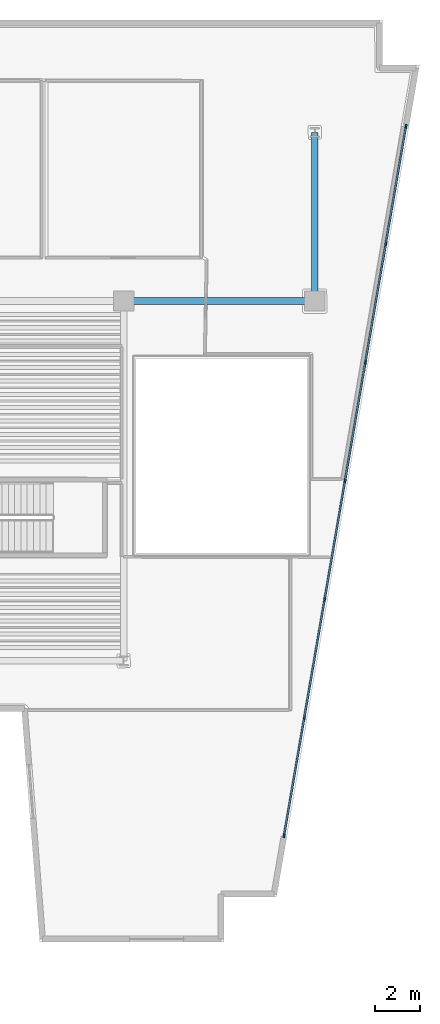
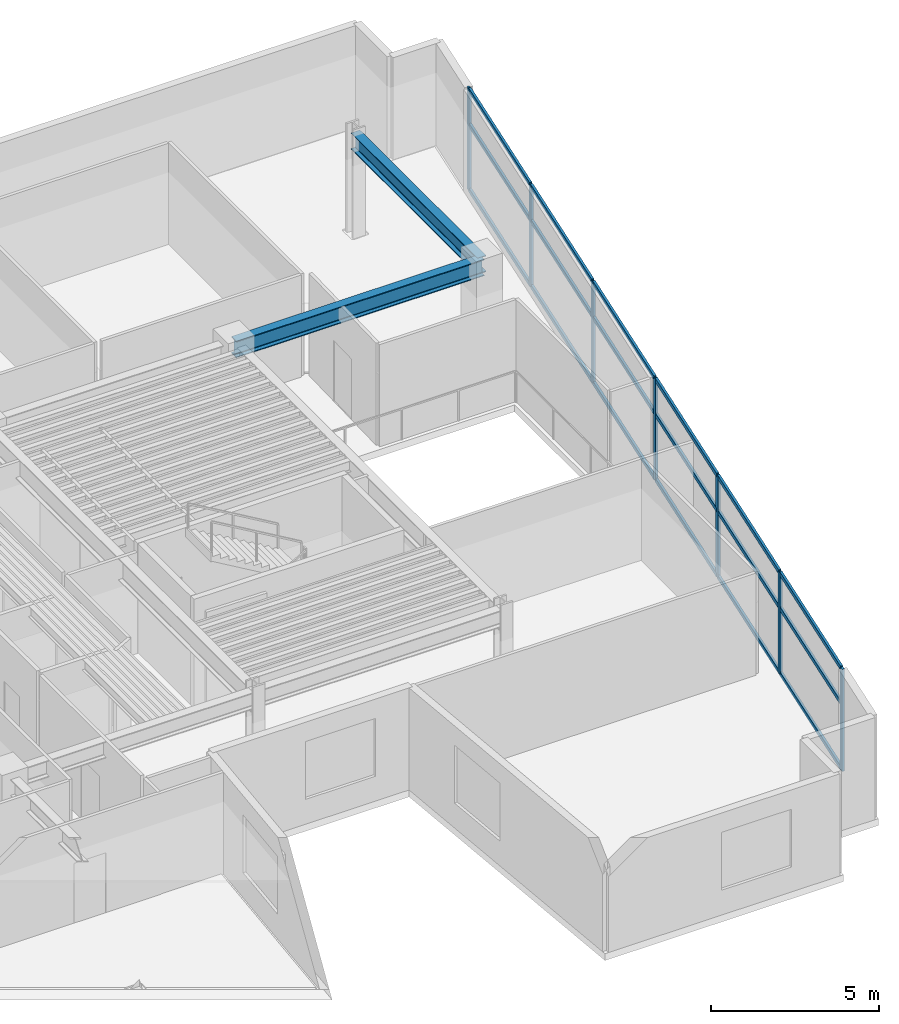
# One storey, part 2 of 9: 25 members, 2 beams, 1 element without a shape of its own.
"""IFC4 building model written with IfcOpenShell, lengths in metres."""

from ifc_helpers import new_model, si_unit, direction, frame, origin, origin_2d, place, context, subcontext, project, spatial, rectangle, i_section, extrude, material, layer, layer_set, material_profile, profile_set, type_object, element, aggregate, save


model = new_model("IFC4")

# Units and contexts
model_context = context("Model", 3, precision=1e-05, world=origin(), true_north=direction((0.0, 1.0)))
body_context = subcontext(model_context, "Body", "Model", "MODEL_VIEW")
ifc_project = project(units=[si_unit("LENGTHUNIT", "METRE"), si_unit("AREAUNIT", "SQUARE_METRE"), si_unit("VOLUMEUNIT", "CUBIC_METRE"), si_unit("PLANEANGLEUNIT", "RADIAN"), si_unit("MASSUNIT", "GRAM", prefix="KILO")], contexts=[model_context])

# Site, building, storey
site_placement = place(None, origin())
site = spatial("IfcSite", under=ifc_project, at=site_placement, CompositionType="ELEMENT")
building_placement = place(site_placement, origin())
building = spatial("IfcBuilding", under=site, at=building_placement, Name="Caeloran Harvest Quay", CompositionType="ELEMENT")
storey_placement = place(building_placement, frame((0.0, 0.0, 203.5)))
storey = spatial("IfcBuildingStorey", under=building, at=storey_placement, Name="L48", CompositionType="ELEMENT", Elevation=203.5)

# Beams
ifc_material_1 = material(Name="Steel S355J2", Category="steel")
ifc_material_profile_1 = material_profile(ifc_material_1, i_section(OverallWidth=0.300048828125, OverallDepth=0.60009765625, WebThickness=0.015380859375, FlangeThickness=0.030029296875, FilletRadius=0.027099609375, at=origin_2d()), Name="HE 600 B")
ifc_profile_set_1 = profile_set([ifc_material_profile_1], Name="Steel S355J2")
beam_type = type_object("IfcBeamType", Name="BM-PG-3-HE_600_B", PredefinedType="BEAM", material=ifc_profile_set_1)
beam_1_placement = place(storey_placement, frame((34.0, 31.0, 3.39990234375), z_axis=(1.0, 0.0, 0.0), x_axis=(0.0, 1.0, 0.0)))
element("IfcBeam", 1, at=beam_1_placement, inside=storey, type_object=beam_type, Name="L48 Primary East-West Girder Y=31.0", PredefinedType="BEAM", context=body_context, shape_type="SweptSolid", body=[
    extrude(i_section(OverallWidth=0.300048828125, OverallDepth=0.60009765625, WebThickness=0.015380859375, FlangeThickness=0.030029296875, FilletRadius=0.027099609375, at=origin_2d()), origin(), (0.0, 0.0, 1.0), 8.5),
])
beam_2_placement = place(storey_placement, frame((42.5, 31.0, 3.39990234375), z_axis=(0.0, 1.0, 0.0), x_axis=(-1.0, 0.0, 0.0)))
element("IfcBeam", 2, at=beam_2_placement, inside=storey, type_object=beam_type, Name="L48 Primary North-South Girder X=42.5", PredefinedType="BEAM", context=body_context, shape_type="SweptSolid", body=[
    extrude(i_section(OverallWidth=0.300048828125, OverallDepth=0.60009765625, WebThickness=0.015380859375, FlangeThickness=0.030029296875, FilletRadius=0.027099609375, at=origin_2d()), origin(), (0.0, 0.0, 1.0), 7.5),
])

# Curtain wall, members
ifc_material_2 = material(Name="Aluminium 6063-T6 and Low-E Glazing", Category="aluminium")
ifc_layer = layer(ifc_material_2, 0.2099609375, Name="Aluminium 6063-T6 and Low-E Glazing")
ifc_layer_set = layer_set([ifc_layer], Name="Aluminium 6063-T6 and Low-E Glazing")
curtain_wall_type = type_object("IfcCurtainWallType", Name="CW-SYS-CW-4", PredefinedType="USERDEFINED", material=ifc_layer_set)
curtain_wall_placement = place(storey_placement, origin())
curtain_wall = element("IfcCurtainWall", 3, at=curtain_wall_placement, inside=storey, type_object=curtain_wall_type, Name="L48 Unitised Curtain Wall CW-4 Run 9", ObjectType="CURTAIN_WALL", PredefinedType="USERDEFINED")
ifc_material_3 = material(Name="Aluminium 6063-T6", Category="aluminium")
ifc_material_profile_2 = material_profile(ifc_material_3, rectangle(XDim=0.080078125, YDim=0.179931640625, at=origin_2d()), Name="CW-MULLION-180")
ifc_profile_set_2 = profile_set([ifc_material_profile_2], Name="Aluminium 6063-T6")
member_type_1 = type_object("IfcMemberType", Name="CW-MULLION-180", PredefinedType="MULLION", material=ifc_profile_set_2)
member_1_placement = place(storey_placement, frame((46.5546875, 38.76806640625, 0.0), z_axis=(0.0, 0.0, 1.0), x_axis=(0.985548695604, -0.169392351048, 0.0)))
member_1 = element("IfcMember", 4, at=member_1_placement, type_object=member_type_1, Name="CW-4 mullion 1", PredefinedType="MULLION", context=body_context, shape_type="SweptSolid", body=[
    extrude(rectangle(XDim=0.080078125, YDim=0.179931640625, at=origin_2d()), origin(), (0.0, 0.0, 1.0), 3.699951171875),
])
member_2_placement = place(storey_placement, frame((45.65576171875, 33.538330078125, 0.0), z_axis=(0.0, 0.0, 1.0), x_axis=(0.985548695604, -0.169392351048, 0.0)))
member_2 = element("IfcMember", 5, at=member_2_placement, type_object=member_type_1, Name="CW-4 mullion 2", PredefinedType="MULLION", context=body_context, shape_type="SweptSolid", body=[
    extrude(rectangle(XDim=0.080078125, YDim=0.179931640625, at=origin_2d()), origin(), (0.0, 0.0, 1.0), 3.699951171875),
])
member_3_placement = place(storey_placement, frame((44.750244140625, 28.269287109375, 0.0), z_axis=(0.0, 0.0, 1.0), x_axis=(0.985548695604, -0.169392351048, 0.0)))
member_3 = element("IfcMember", 6, at=member_3_placement, type_object=member_type_1, Name="CW-4 mullion 3", PredefinedType="MULLION", context=body_context, shape_type="SweptSolid", body=[
    extrude(rectangle(XDim=0.080078125, YDim=0.179931640625, at=origin_2d()), origin(), (0.0, 0.0, 1.0), 3.699951171875),
])
member_4_placement = place(storey_placement, frame((43.844482421875, 23.0, 0.0), z_axis=(0.0, 0.0, 1.0), x_axis=(0.985548695604, -0.169392351048, 0.0)))
member_4 = element("IfcMember", 7, at=member_4_placement, type_object=member_type_1, Name="CW-4 mullion 4", PredefinedType="MULLION", context=body_context, shape_type="SweptSolid", body=[
    extrude(rectangle(XDim=0.080078125, YDim=0.179931640625, at=origin_2d()), origin(), (0.0, 0.0, 1.0), 3.699951171875),
])
member_5_placement = place(storey_placement, frame((42.93896484375, 17.730712890625, 0.0), z_axis=(0.0, 0.0, 1.0), x_axis=(0.985548695604, -0.169392351048, 0.0)))
member_5 = element("IfcMember", 8, at=member_5_placement, type_object=member_type_1, Name="CW-4 mullion 5", PredefinedType="MULLION", context=body_context, shape_type="SweptSolid", body=[
    extrude(rectangle(XDim=0.080078125, YDim=0.179931640625, at=origin_2d()), origin(), (0.0, 0.0, 1.0), 3.699951171875),
])
member_6_placement = place(storey_placement, frame((42.033203125, 12.461669921875, 0.0), z_axis=(0.0, 0.0, 1.0), x_axis=(0.985548695604, -0.169392351048, 0.0)))
member_6 = element("IfcMember", 9, at=member_6_placement, type_object=member_type_1, Name="CW-4 mullion 6", PredefinedType="MULLION", context=body_context, shape_type="SweptSolid", body=[
    extrude(rectangle(XDim=0.080078125, YDim=0.179931640625, at=origin_2d()), origin(), (0.0, 0.0, 1.0), 3.699951171875),
])
member_7_placement = place(storey_placement, frame((41.13427734375, 7.23193359375, 0.0), z_axis=(0.0, 0.0, 1.0), x_axis=(0.985548695604, -0.169392351048, 0.0)))
member_7 = element("IfcMember", 10, at=member_7_placement, type_object=member_type_1, Name="CW-4 mullion 7", PredefinedType="MULLION", context=body_context, shape_type="SweptSolid", body=[
    extrude(rectangle(XDim=0.080078125, YDim=0.179931640625, at=origin_2d()), origin(), (0.0, 0.0, 1.0), 3.699951171875),
])
ifc_material_profile_3 = material_profile(ifc_material_3, rectangle(XDim=0.080078125, YDim=0.14990234375, at=origin_2d()), Name="CW-TRANSOM-150")
ifc_profile_set_3 = profile_set([ifc_material_profile_3], Name="Aluminium 6063-T6")
member_type_2 = type_object("IfcMemberType", Name="CW-TRANSOM-150", PredefinedType="USERDEFINED", material=ifc_profile_set_3)
member_8_placement = place(storey_placement, frame((46.5478515625, 38.728759765625, 0.0400390625), z_axis=(-0.169381290327, -0.985550596614, 0.0), x_axis=(0.985550596614, -0.169381290327, 0.0)))
member_8 = element("IfcMember", 11, at=member_8_placement, type_object=member_type_2, Name="CW-4 transom 1.1", ObjectType="TRANSOM", PredefinedType="USERDEFINED", context=body_context, shape_type="SweptSolid", body=[
    extrude(rectangle(XDim=0.080078125, YDim=0.14990234375, at=origin_2d()), origin(), (0.0, 0.0, 1.0), 5.226318359375),
])
member_9_placement = place(storey_placement, frame((46.5478515625, 38.728759765625, 2.39990234375), z_axis=(-0.169381290327, -0.985550596614, 0.0), x_axis=(0.985550596614, -0.169381290327, 0.0)))
member_9 = element("IfcMember", 12, at=member_9_placement, type_object=member_type_2, Name="CW-4 transom 1.2", ObjectType="TRANSOM", PredefinedType="USERDEFINED", context=body_context, shape_type="SweptSolid", body=[
    extrude(rectangle(XDim=0.080078125, YDim=0.14990234375, at=origin_2d()), origin(), (0.0, 0.0, 1.0), 5.226318359375),
])
member_10_placement = place(storey_placement, frame((46.5478515625, 38.728759765625, 3.659912109375), z_axis=(-0.169381290327, -0.985550596614, 0.0), x_axis=(0.985550596614, -0.169381290327, 0.0)))
member_10 = element("IfcMember", 13, at=member_10_placement, type_object=member_type_2, Name="CW-4 transom 1.3", ObjectType="TRANSOM", PredefinedType="USERDEFINED", context=body_context, shape_type="SweptSolid", body=[
    extrude(rectangle(XDim=0.080078125, YDim=0.14990234375, at=origin_2d()), origin(), (0.0, 0.0, 1.0), 5.226318359375),
])
member_11_placement = place(storey_placement, frame((45.649169921875, 33.4990234375, 0.0400390625), z_axis=(-0.169388401421, -0.985549374442, 0.0), x_axis=(0.985549374442, -0.169388401421, 0.0)))
member_11 = element("IfcMember", 14, at=member_11_placement, type_object=member_type_2, Name="CW-4 transom 2.1", ObjectType="TRANSOM", PredefinedType="USERDEFINED", context=body_context, shape_type="SweptSolid", body=[
    extrude(rectangle(XDim=0.080078125, YDim=0.14990234375, at=origin_2d()), origin(), (0.0, 0.0, 1.0), 5.2666015625),
])
member_12_placement = place(storey_placement, frame((45.649169921875, 33.4990234375, 2.39990234375), z_axis=(-0.169388401421, -0.985549374442, 0.0), x_axis=(0.985549374442, -0.169388401421, 0.0)))
member_12 = element("IfcMember", 15, at=member_12_placement, type_object=member_type_2, Name="CW-4 transom 2.2", ObjectType="TRANSOM", PredefinedType="USERDEFINED", context=body_context, shape_type="SweptSolid", body=[
    extrude(rectangle(XDim=0.080078125, YDim=0.14990234375, at=origin_2d()), origin(), (0.0, 0.0, 1.0), 5.2666015625),
])
member_13_placement = place(storey_placement, frame((45.649169921875, 33.4990234375, 3.659912109375), z_axis=(-0.169388401421, -0.985549374442, 0.0), x_axis=(0.985549374442, -0.169388401421, 0.0)))
member_13 = element("IfcMember", 16, at=member_13_placement, type_object=member_type_2, Name="CW-4 transom 2.3", ObjectType="TRANSOM", PredefinedType="USERDEFINED", context=body_context, shape_type="SweptSolid", body=[
    extrude(rectangle(XDim=0.080078125, YDim=0.14990234375, at=origin_2d()), origin(), (0.0, 0.0, 1.0), 5.2666015625),
])
member_14_placement = place(storey_placement, frame((44.743408203125, 28.229736328125, 0.0400390625), z_axis=(-0.169388401421, -0.985549374442, 0.0), x_axis=(0.985549374442, -0.169388401421, 0.0)))
member_14 = element("IfcMember", 17, at=member_14_placement, type_object=member_type_2, Name="CW-4 transom 3.1", ObjectType="TRANSOM", PredefinedType="USERDEFINED", context=body_context, shape_type="SweptSolid", body=[
    extrude(rectangle(XDim=0.080078125, YDim=0.14990234375, at=origin_2d()), origin(), (0.0, 0.0, 1.0), 5.2666015625),
])
member_15_placement = place(storey_placement, frame((44.743408203125, 28.229736328125, 2.39990234375), z_axis=(-0.169388401421, -0.985549374442, 0.0), x_axis=(0.985549374442, -0.169388401421, 0.0)))
member_15 = element("IfcMember", 18, at=member_15_placement, type_object=member_type_2, Name="CW-4 transom 3.2", ObjectType="TRANSOM", PredefinedType="USERDEFINED", context=body_context, shape_type="SweptSolid", body=[
    extrude(rectangle(XDim=0.080078125, YDim=0.14990234375, at=origin_2d()), origin(), (0.0, 0.0, 1.0), 5.2666015625),
])
member_16_placement = place(storey_placement, frame((44.743408203125, 28.229736328125, 3.659912109375), z_axis=(-0.169388401421, -0.985549374442, 0.0), x_axis=(0.985549374442, -0.169388401421, 0.0)))
member_16 = element("IfcMember", 19, at=member_16_placement, type_object=member_type_2, Name="CW-4 transom 3.3", ObjectType="TRANSOM", PredefinedType="USERDEFINED", context=body_context, shape_type="SweptSolid", body=[
    extrude(rectangle(XDim=0.080078125, YDim=0.14990234375, at=origin_2d()), origin(), (0.0, 0.0, 1.0), 5.2666015625),
])
member_17_placement = place(storey_placement, frame((43.837890625, 22.960693359375, 0.0400390625), z_axis=(-0.169433427775, -0.985541634611, 0.0), x_axis=(0.985541634611, -0.169433427775, 0.0)))
member_17 = element("IfcMember", 20, at=member_17_placement, type_object=member_type_2, Name="CW-4 transom 4.1", ObjectType="TRANSOM", PredefinedType="USERDEFINED", context=body_context, shape_type="SweptSolid", body=[
    extrude(rectangle(XDim=0.080078125, YDim=0.14990234375, at=origin_2d()), origin(), (0.0, 0.0, 1.0), 5.2666015625),
])
member_18_placement = place(storey_placement, frame((43.837890625, 22.960693359375, 2.39990234375), z_axis=(-0.169433427775, -0.985541634611, 0.0), x_axis=(0.985541634611, -0.169433427775, 0.0)))
member_18 = element("IfcMember", 21, at=member_18_placement, type_object=member_type_2, Name="CW-4 transom 4.2", ObjectType="TRANSOM", PredefinedType="USERDEFINED", context=body_context, shape_type="SweptSolid", body=[
    extrude(rectangle(XDim=0.080078125, YDim=0.14990234375, at=origin_2d()), origin(), (0.0, 0.0, 1.0), 5.2666015625),
])
member_19_placement = place(storey_placement, frame((43.837890625, 22.960693359375, 3.659912109375), z_axis=(-0.169433427775, -0.985541634611, 0.0), x_axis=(0.985541634611, -0.169433427775, 0.0)))
member_19 = element("IfcMember", 22, at=member_19_placement, type_object=member_type_2, Name="CW-4 transom 4.3", ObjectType="TRANSOM", PredefinedType="USERDEFINED", context=body_context, shape_type="SweptSolid", body=[
    extrude(rectangle(XDim=0.080078125, YDim=0.14990234375, at=origin_2d()), origin(), (0.0, 0.0, 1.0), 5.2666015625),
])
member_20_placement = place(storey_placement, frame((42.93212890625, 17.69140625, 0.0400390625), z_axis=(-0.169388401421, -0.985549374442, 0.0), x_axis=(0.985549374442, -0.169388401421, 0.0)))
member_20 = element("IfcMember", 23, at=member_20_placement, type_object=member_type_2, Name="CW-4 transom 5.1", ObjectType="TRANSOM", PredefinedType="USERDEFINED", context=body_context, shape_type="SweptSolid", body=[
    extrude(rectangle(XDim=0.080078125, YDim=0.14990234375, at=origin_2d()), origin(), (0.0, 0.0, 1.0), 5.2666015625),
])
member_21_placement = place(storey_placement, frame((42.93212890625, 17.69140625, 2.39990234375), z_axis=(-0.169388401421, -0.985549374442, 0.0), x_axis=(0.985549374442, -0.169388401421, 0.0)))
member_21 = element("IfcMember", 24, at=member_21_placement, type_object=member_type_2, Name="CW-4 transom 5.2", ObjectType="TRANSOM", PredefinedType="USERDEFINED", context=body_context, shape_type="SweptSolid", body=[
    extrude(rectangle(XDim=0.080078125, YDim=0.14990234375, at=origin_2d()), origin(), (0.0, 0.0, 1.0), 5.2666015625),
])
member_22_placement = place(storey_placement, frame((42.93212890625, 17.69140625, 3.659912109375), z_axis=(-0.169388401421, -0.985549374442, 0.0), x_axis=(0.985549374442, -0.169388401421, 0.0)))
member_22 = element("IfcMember", 25, at=member_22_placement, type_object=member_type_2, Name="CW-4 transom 5.3", ObjectType="TRANSOM", PredefinedType="USERDEFINED", context=body_context, shape_type="SweptSolid", body=[
    extrude(rectangle(XDim=0.080078125, YDim=0.14990234375, at=origin_2d()), origin(), (0.0, 0.0, 1.0), 5.2666015625),
])
member_23_placement = place(storey_placement, frame((42.0263671875, 12.422119140625, 0.0400390625), z_axis=(-0.169381290327, -0.985550596614, 0.0), x_axis=(0.985550596614, -0.169381290327, 0.0)))
member_23 = element("IfcMember", 26, at=member_23_placement, type_object=member_type_2, Name="CW-4 transom 6.1", ObjectType="TRANSOM", PredefinedType="USERDEFINED", context=body_context, shape_type="SweptSolid", body=[
    extrude(rectangle(XDim=0.080078125, YDim=0.14990234375, at=origin_2d()), origin(), (0.0, 0.0, 1.0), 5.226318359375),
])
member_24_placement = place(storey_placement, frame((42.0263671875, 12.422119140625, 2.39990234375), z_axis=(-0.169381290327, -0.985550596614, 0.0), x_axis=(0.985550596614, -0.169381290327, 0.0)))
member_24 = element("IfcMember", 27, at=member_24_placement, type_object=member_type_2, Name="CW-4 transom 6.2", ObjectType="TRANSOM", PredefinedType="USERDEFINED", context=body_context, shape_type="SweptSolid", body=[
    extrude(rectangle(XDim=0.080078125, YDim=0.14990234375, at=origin_2d()), origin(), (0.0, 0.0, 1.0), 5.226318359375),
])
member_25_placement = place(storey_placement, frame((42.0263671875, 12.422119140625, 3.659912109375), z_axis=(-0.169381290327, -0.985550596614, 0.0), x_axis=(0.985550596614, -0.169381290327, 0.0)))
member_25 = element("IfcMember", 28, at=member_25_placement, type_object=member_type_2, Name="CW-4 transom 6.3", ObjectType="TRANSOM", PredefinedType="USERDEFINED", context=body_context, shape_type="SweptSolid", body=[
    extrude(rectangle(XDim=0.080078125, YDim=0.14990234375, at=origin_2d()), origin(), (0.0, 0.0, 1.0), 5.226318359375),
])
aggregate(curtain_wall, [member_1, member_2, member_3, member_4, member_5, member_6, member_7, member_8, member_9, member_10, member_11, member_12, member_13, member_14, member_15, member_16, member_17, member_18, member_19, member_20, member_21, member_22, member_23, member_24, member_25])

save(model, "model.ifc")
